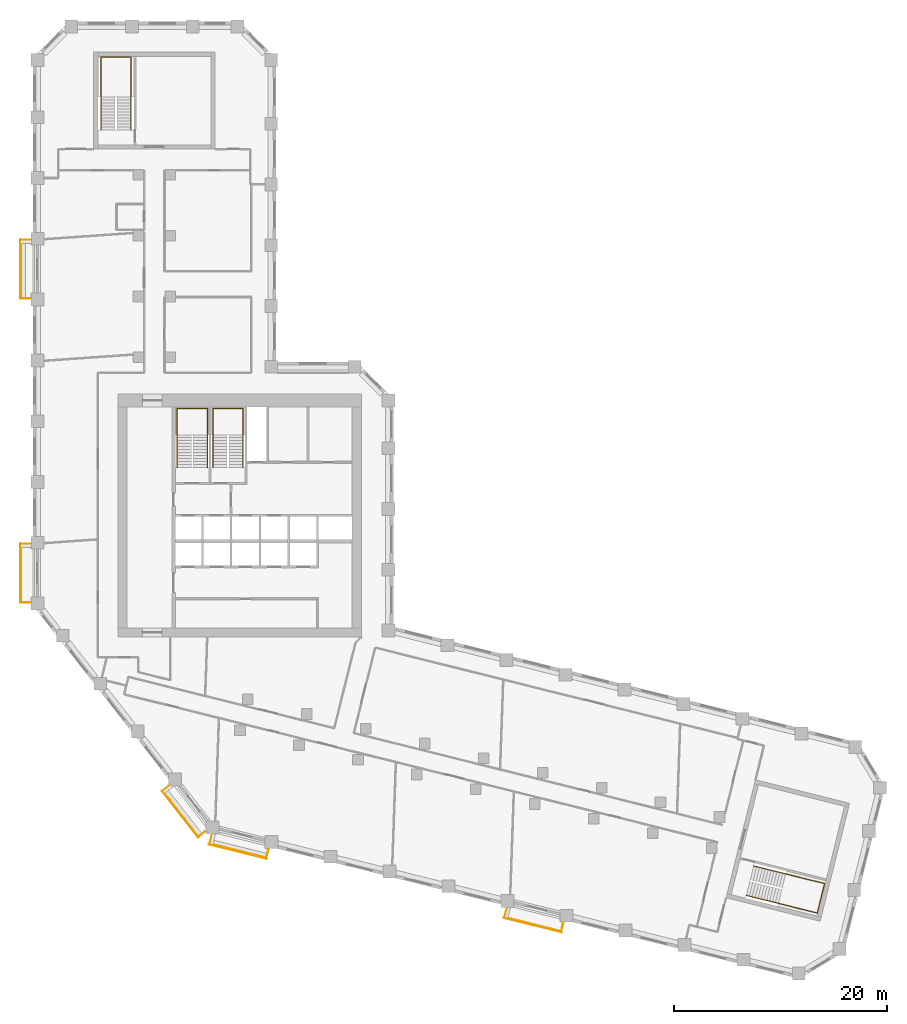
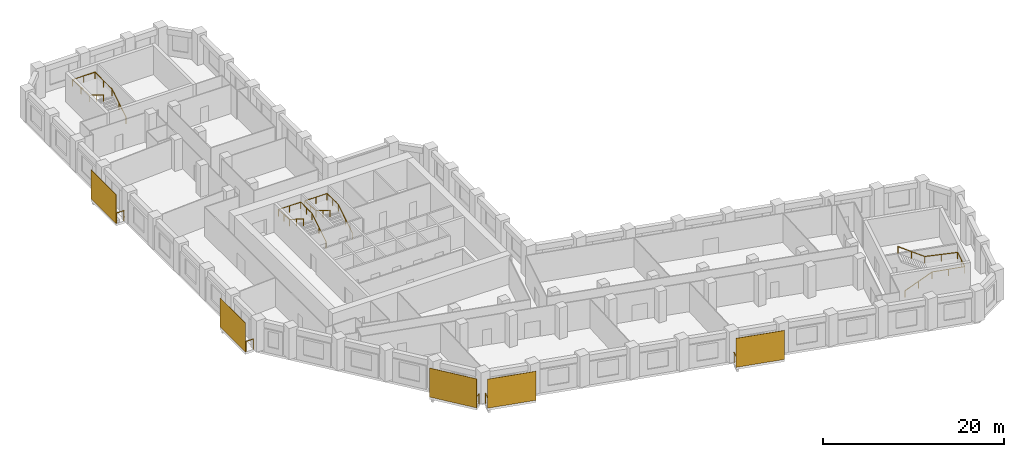
# One storey, part 10 of 10: 9 railings, 5 shading devices.
"""IFC4 building model written with IfcOpenShell, lengths in metres."""

from ifc_helpers import new_model, si_unit, direction, frame, origin, origin_2d, place, context, subcontext, project, spatial, rectangle, circle, extrude, material, layer, layer_set, type_object, element, save


model = new_model("IFC4")

# Units and contexts
model_context = context("Model", 3, precision=1e-05, world=origin(), true_north=direction((0.0, 1.0)))
body_context = subcontext(model_context, "Body", "Model", "MODEL_VIEW")
ifc_project = project(units=[si_unit("LENGTHUNIT", "METRE"), si_unit("AREAUNIT", "SQUARE_METRE"), si_unit("VOLUMEUNIT", "CUBIC_METRE"), si_unit("PLANEANGLEUNIT", "RADIAN"), si_unit("MASSUNIT", "GRAM", prefix="KILO")], contexts=[model_context])

# Site, building, storey
site_placement = place(None, origin())
site = spatial("IfcSite", under=ifc_project, at=site_placement, CompositionType="ELEMENT")
building_placement = place(site_placement, origin())
building = spatial("IfcBuilding", under=site, at=building_placement, Name="Meshkara Civic Tower", CompositionType="ELEMENT")
storey_placement = place(building_placement, frame((0.0, 0.0, 165.60009765625)))
storey = spatial("IfcBuildingStorey", under=building, at=storey_placement, Name="L37", CompositionType="ELEMENT", Elevation=165.60009765625)

# Railings
ifc_material_1 = material(Name="Steel S355", Category="steel")
railing_type_1 = type_object("IfcRailingType", Name="BALUSTRADE GUARD 1400", PredefinedType="BALUSTRADE", material=ifc_material_1)
for number, where, name in (
    (1, (-0.14990234375, 51.3349609375, 0.0), "Balcony guard"),
    (2, (-0.14990234375, 22.8349609375, 0.0), "Balcony guard"),
):
    element("IfcRailing", number, at=place(storey_placement, frame(where)), inside=storey, type_object=railing_type_1, Name=name, PredefinedType="BALUSTRADE", context=body_context, shape_type="SweptSolid", body=[
        extrude(circle(Radius=0.02392578125, at=origin_2d()), frame((0.0, 0.0, 1.3759765625), z_axis=(-1.0, 0.0, 0.0), x_axis=(0.0, -1.0, 0.0)), (0.0, 0.0, 1.0), 0.960205078125),
        extrude(circle(Radius=0.02392578125, at=origin_2d()), frame((-0.960205078125, 0.0, 1.3759765625), z_axis=(0.0, -1.0, 0.0), x_axis=(1.0, 0.0, 0.0)), (0.0, 0.0, 1.0), 5.4599609375),
        extrude(circle(Radius=0.02392578125, at=origin_2d()), frame((-0.960205078125, -5.4599609375, 1.3759765625), z_axis=(1.0, 0.0, 0.0), x_axis=(0.0, 1.0, 0.0)), (0.0, 0.0, 1.0), 0.960205078125),
        extrude(circle(Radius=0.02099609375, at=origin_2d()), origin(), (0.0, 0.0, 1.0), 1.351806640625),
        extrude(circle(Radius=0.02099609375, at=origin_2d()), frame((-0.960205078125, 0.0, 0.0)), (0.0, 0.0, 1.0), 1.351806640625),
        extrude(circle(Radius=0.02099609375, at=origin_2d()), frame((-0.960205078125, -1.092041015625, 0.0)), (0.0, 0.0, 1.0), 1.351806640625),
        extrude(circle(Radius=0.02099609375, at=origin_2d()), frame((-0.960205078125, -2.18408203125, 0.0)), (0.0, 0.0, 1.0), 1.351806640625),
        extrude(circle(Radius=0.02099609375, at=origin_2d()), frame((-0.960205078125, -3.27587890625, 0.0)), (0.0, 0.0, 1.0), 1.351806640625),
        extrude(circle(Radius=0.02099609375, at=origin_2d()), frame((-0.960205078125, -4.367919921875, 0.0)), (0.0, 0.0, 1.0), 1.351806640625),
        extrude(circle(Radius=0.02099609375, at=origin_2d()), frame((-0.960205078125, -5.4599609375, 0.0)), (0.0, 0.0, 1.0), 1.351806640625),
        extrude(circle(Radius=0.02099609375, at=origin_2d()), frame((0.0, -5.4599609375, 0.0)), (0.0, 0.0, 1.0), 1.351806640625),
    ])
railing_1_placement = place(storey_placement, frame((12.751953125, 0.14111328125, 0.0)))
element("IfcRailing", 3, at=railing_1_placement, inside=storey, type_object=railing_type_1, Name="Balcony guard", PredefinedType="BALUSTRADE", context=body_context, shape_type="SweptSolid", body=[
    extrude(circle(Radius=0.02392578125, at=origin_2d()), frame((0.0, 0.0, 1.3759765625), z_axis=(-0.788014065721, -0.615657235989, 0.0), x_axis=(0.615657235989, -0.788014065721, 0.0)), (0.0, 0.0, 1.0), 0.71826171875),
    extrude(circle(Radius=0.02392578125, at=origin_2d()), frame((-0.56591796875, -0.442138671875, 1.3759765625), z_axis=(0.615684818606, -0.787992515281, 0.0), x_axis=(0.787992515281, 0.615684818606, 0.0)), (0.0, 0.0, 1.0), 5.460693359375),
    extrude(circle(Radius=0.02392578125, at=origin_2d()), frame((2.796142578125, -4.7451171875, 1.3759765625), z_axis=(0.788178999613, 0.615446069586, 0.0), x_axis=(-0.615446069586, 0.788178999613, 0.0)), (0.0, 0.0, 1.0), 0.718017578125),
    extrude(circle(Radius=0.02099609375, at=origin_2d()), origin(), (0.0, 0.0, 1.0), 1.351806640625),
    extrude(circle(Radius=0.02099609375, at=origin_2d()), frame((-0.56591796875, -0.442138671875, 0.0)), (0.0, 0.0, 1.0), 1.351806640625),
    extrude(circle(Radius=0.02099609375, at=origin_2d()), frame((0.1064453125, -1.302734375, 0.0)), (0.0, 0.0, 1.0), 1.351806640625),
    extrude(circle(Radius=0.02099609375, at=origin_2d()), frame((0.77880859375, -2.163330078125, 0.0)), (0.0, 0.0, 1.0), 1.351806640625),
    extrude(circle(Radius=0.02099609375, at=origin_2d()), frame((1.451416015625, -3.02392578125, 0.0)), (0.0, 0.0, 1.0), 1.351806640625),
    extrude(circle(Radius=0.02099609375, at=origin_2d()), frame((2.123779296875, -3.884521484375, 0.0)), (0.0, 0.0, 1.0), 1.351806640625),
    extrude(circle(Radius=0.02099609375, at=origin_2d()), frame((2.796142578125, -4.7451171875, 0.0)), (0.0, 0.0, 1.0), 1.351806640625),
    extrude(circle(Radius=0.02099609375, at=origin_2d()), frame((3.362060546875, -4.30322265625, 0.0)), (0.0, 0.0, 1.0), 1.351806640625),
])
railing_2_placement = place(storey_placement, frame((16.7919921875, -4.472900390625, 0.0)))
element("IfcRailing", 4, at=railing_2_placement, inside=storey, type_object=railing_type_1, Name="Balcony guard", PredefinedType="BALUSTRADE", context=body_context, shape_type="SweptSolid", body=[
    extrude(circle(Radius=0.02392578125, at=origin_2d()), frame((0.0, 0.0, 1.3759765625), z_axis=(-0.242397690902, -0.970176973261, 0.0), x_axis=(0.970176973261, -0.242397690902, 0.0)), (0.0, 0.0, 1.0), 0.8330078125),
    extrude(circle(Radius=0.02392578125, at=origin_2d()), frame((-0.201904296875, -0.80810546875, 1.3759765625), z_axis=(0.9703315887, -0.241778013829, 0.0), x_axis=(0.241778013829, 0.9703315887, 0.0)), (0.0, 0.0, 1.0), 5.459716796875),
    extrude(circle(Radius=0.02392578125, at=origin_2d()), frame((5.095947265625, -2.128173828125, 1.3759765625), z_axis=(0.242673544463, 0.970108009872, 0.0), x_axis=(-0.970108009872, 0.242673544463, 0.0)), (0.0, 0.0, 1.0), 0.8330078125),
    extrude(circle(Radius=0.02099609375, at=origin_2d()), origin(), (0.0, 0.0, 1.0), 1.351806640625),
    extrude(circle(Radius=0.02099609375, at=origin_2d()), frame((-0.201904296875, -0.80810546875, 0.0)), (0.0, 0.0, 1.0), 1.351806640625),
    extrude(circle(Radius=0.02099609375, at=origin_2d()), frame((0.857666015625, -1.072021484375, 0.0)), (0.0, 0.0, 1.0), 1.351806640625),
    extrude(circle(Radius=0.02099609375, at=origin_2d()), frame((1.917236328125, -1.336181640625, 0.0)), (0.0, 0.0, 1.0), 1.351806640625),
    extrude(circle(Radius=0.02099609375, at=origin_2d()), frame((2.976806640625, -1.60009765625, 0.0)), (0.0, 0.0, 1.0), 1.351806640625),
    extrude(circle(Radius=0.02099609375, at=origin_2d()), frame((4.036376953125, -1.8642578125, 0.0)), (0.0, 0.0, 1.0), 1.351806640625),
    extrude(circle(Radius=0.02099609375, at=origin_2d()), frame((5.095947265625, -2.128173828125, 0.0)), (0.0, 0.0, 1.0), 1.351806640625),
    extrude(circle(Radius=0.02099609375, at=origin_2d()), frame((5.298095703125, -1.320068359375, 0.0)), (0.0, 0.0, 1.0), 1.351806640625),
])
railing_3_placement = place(storey_placement, frame((44.445068359375, -11.366943359375, 0.0)))
element("IfcRailing", 5, at=railing_3_placement, inside=storey, type_object=railing_type_1, Name="Balcony guard", PredefinedType="BALUSTRADE", context=body_context, shape_type="SweptSolid", body=[
    extrude(circle(Radius=0.02392578125, at=origin_2d()), frame((0.0, 0.0, 1.3759765625), z_axis=(-0.241569777604, -0.970383451296, 0.0), x_axis=(0.970383451296, -0.241569777604, 0.0)), (0.0, 0.0, 1.0), 0.832763671875),
    extrude(circle(Radius=0.02392578125, at=origin_2d()), frame((-0.201171875, -0.80810546875, 1.3759765625), z_axis=(0.970281759871, -0.241977904902, 0.0), x_axis=(0.241977904902, 0.970281759871, 0.0)), (0.0, 0.0, 1.0), 5.45947265625),
    extrude(circle(Radius=0.02392578125, at=origin_2d()), frame((5.095947265625, -2.129150390625, 1.3759765625), z_axis=(0.242397690902, 0.970176973261, 0.0), x_axis=(-0.970176973261, 0.242397690902, 0.0)), (0.0, 0.0, 1.0), 0.8330078125),
    extrude(circle(Radius=0.02099609375, at=origin_2d()), origin(), (0.0, 0.0, 1.0), 1.351806640625),
    extrude(circle(Radius=0.02099609375, at=origin_2d()), frame((-0.201171875, -0.80810546875, 0.0)), (0.0, 0.0, 1.0), 1.351806640625),
    extrude(circle(Radius=0.02099609375, at=origin_2d()), frame((0.858154296875, -1.072265625, 0.0)), (0.0, 0.0, 1.0), 1.351806640625),
    extrude(circle(Radius=0.02099609375, at=origin_2d()), frame((1.917724609375, -1.33642578125, 0.0)), (0.0, 0.0, 1.0), 1.351806640625),
    extrude(circle(Radius=0.02099609375, at=origin_2d()), frame((2.97705078125, -1.600830078125, 0.0)), (0.0, 0.0, 1.0), 1.351806640625),
    extrude(circle(Radius=0.02099609375, at=origin_2d()), frame((4.03662109375, -1.864990234375, 0.0)), (0.0, 0.0, 1.0), 1.351806640625),
    extrude(circle(Radius=0.02099609375, at=origin_2d()), frame((5.095947265625, -2.129150390625, 0.0)), (0.0, 0.0, 1.0), 1.351806640625),
    extrude(circle(Radius=0.02099609375, at=origin_2d()), frame((5.2978515625, -1.321044921875, 0.0)), (0.0, 0.0, 1.0), 1.351806640625),
])

# Shading devices
ifc_material_2 = material(Name="Perforated bronze anodised aluminium sheet", Category="aluminium")
ifc_layer = layer(ifc_material_2, 0.0400390625)
ifc_layer_set = layer_set([ifc_layer], Name="PERFORATED BRONZE SCREEN")
shading_device_type = type_object("IfcShadingDeviceType", Name="PERFORATED BRONZE SCREEN", PredefinedType="USERDEFINED", material=ifc_layer_set)
for number, where, z_axis, x_axis, name in (
    (6, (-1.179931640625, 48.60498046875, 0.0), (0.0, 0.0, 1.0), (0.0, -1.0, 0.0), "Balcony screen"),
    (7, (-1.179931640625, 20.10498046875, 0.0), (0.0, 0.0, 1.0), (0.0, -1.0, 0.0), "Balcony screen"),
    (8, (13.81201171875, -2.4951171875, 0.0), (0.0, 0.0, 1.0), (0.615661475326, -0.788010753607, 0.0), "Balcony screen"),
    (9, (19.221923828125, -6.009033203125, 0.0), (0.0, 0.0, 1.0), (0.970299948462, -0.241904960708, 0.0), "Balcony screen"),
):
    element("IfcShadingDevice", number, at=place(storey_placement, frame(where, z_axis=z_axis, x_axis=x_axis)), inside=storey, type_object=shading_device_type, Name=name, ObjectType="SCREEN", PredefinedType="USERDEFINED", context=body_context, shape_type="SweptSolid", body=[
        extrude(rectangle(XDim=5.580078125, YDim=0.0400390625, at=origin_2d()), origin(), (0.0, 0.0, 1.0), 3.89990234375),
    ])
shading_device_placement = place(storey_placement, frame((46.8759765625, -12.903076171875, 0.0), z_axis=(0.0, 0.0, 1.0), x_axis=(0.970299948462, -0.241904960708, 0.0)))
element("IfcShadingDevice", 10, at=shading_device_placement, inside=storey, type_object=shading_device_type, Name="Balcony screen", ObjectType="SCREEN", PredefinedType="USERDEFINED", context=body_context, shape_type="SweptSolid", body=[
    extrude(rectangle(XDim=5.5791015625, YDim=0.0400390625, at=origin_2d()), origin(), (0.0, 0.0, 1.0), 3.89990234375),
])

# Railings
ifc_material_3 = material(Name="Steel handrail", Category="steel")
railing_type_2 = type_object("IfcRailingType", Name="Stair handrail 900", PredefinedType="HANDRAIL", material=ifc_material_3)
railing_4_placement = place(storey_placement, frame((16.375, 30.0, 0.1748046875)))
element("IfcRailing", 11, at=railing_4_placement, inside=storey, type_object=railing_type_2, Name="L37 ST1 stair handrail 1", PredefinedType="HANDRAIL", context=body_context, shape_type="SweptSolid", body=[
    extrude(circle(Radius=0.02392578125, at=origin_2d()), frame((0.0, 0.0, 0.8759765625), z_axis=(0.0, 0.847998304005, 0.529998940003), x_axis=(-1.0, 0.0, 0.0)), (0.0, 0.0, 1.0), 3.632080078125),
    extrude(circle(Radius=0.02392578125, at=origin_2d()), frame((0.0, 3.080078125, 2.80078125), z_axis=(0.0, 1.0, 0.0), x_axis=(-1.0, 0.0, 0.0)), (0.0, 0.0, 1.0), 2.469970703125),
    extrude(circle(Radius=0.02392578125, at=origin_2d()), frame((0.0, 5.550048828125, 2.80078125), z_axis=(-1.0, 0.0, 0.0), x_axis=(0.0, -1.0, 0.0)), (0.0, 0.0, 1.0), 2.85009765625),
    extrude(circle(Radius=0.02392578125, at=origin_2d()), frame((-2.85009765625, 5.550048828125, 2.80078125), z_axis=(0.0, -0.997498084828, 0.070693498747), x_axis=(1.0, 0.0, 0.0)), (0.0, 0.0, 1.0), 2.47607421875),
    extrude(circle(Radius=0.02392578125, at=origin_2d()), frame((-2.85009765625, 3.080078125, 2.97607421875), z_axis=(0.0, -0.847998304005, 0.529998940003), x_axis=(1.0, 0.0, 0.0)), (0.0, 0.0, 1.0), 3.632080078125),
    extrude(circle(Radius=0.02099609375, at=origin_2d()), origin(), (0.0, 0.0, 1.0), 0.851806640625),
    extrude(circle(Radius=0.02099609375, at=origin_2d()), frame((0.0, 1.5400390625, 0.96240234375)), (0.0, 0.0, 1.0), 0.851806640625),
    extrude(circle(Radius=0.02099609375, at=origin_2d()), frame((0.0, 3.080078125, 1.925048828125)), (0.0, 0.0, 1.0), 0.851806640625),
    extrude(circle(Radius=0.02099609375, at=origin_2d()), frame((0.0, 4.31494140625, 1.925048828125)), (0.0, 0.0, 1.0), 0.851806640625),
    extrude(circle(Radius=0.02099609375, at=origin_2d()), frame((0.0, 5.550048828125, 1.925048828125)), (0.0, 0.0, 1.0), 0.851806640625),
    extrude(circle(Radius=0.02099609375, at=origin_2d()), frame((-1.425048828125, 5.550048828125, 1.925048828125)), (0.0, 0.0, 1.0), 0.851806640625),
    extrude(circle(Radius=0.02099609375, at=origin_2d()), frame((-2.85009765625, 5.550048828125, 1.925048828125)), (0.0, 0.0, 1.0), 0.851806640625),
    extrude(circle(Radius=0.02099609375, at=origin_2d()), frame((-2.85009765625, 4.31494140625, 2.0126953125)), (0.0, 0.0, 1.0), 0.851806640625),
    extrude(circle(Radius=0.02099609375, at=origin_2d()), frame((-2.85009765625, 3.080078125, 2.10009765625)), (0.0, 0.0, 1.0), 0.851806640625),
    extrude(circle(Radius=0.02099609375, at=origin_2d()), frame((-2.85009765625, 1.5400390625, 3.0625)), (0.0, 0.0, 1.0), 0.851806640625),
    extrude(circle(Radius=0.02099609375, at=origin_2d()), frame((-2.85009765625, 0.0, 4.025146484375)), (0.0, 0.0, 1.0), 0.851806640625),
])
railing_5_placement = place(storey_placement, frame((19.72509765625, 30.0, 0.1748046875)))
element("IfcRailing", 12, at=railing_5_placement, inside=storey, type_object=railing_type_2, Name="L37 ST2 stair handrail 1", PredefinedType="HANDRAIL", context=body_context, shape_type="SweptSolid", body=[
    extrude(circle(Radius=0.02392578125, at=origin_2d()), frame((0.0, 0.0, 0.8759765625), z_axis=(0.0, 0.847998304005, 0.529998940003), x_axis=(-1.0, 0.0, 0.0)), (0.0, 0.0, 1.0), 3.632080078125),
    extrude(circle(Radius=0.02392578125, at=origin_2d()), frame((0.0, 3.080078125, 2.80078125), z_axis=(0.0, 1.0, 0.0), x_axis=(-1.0, 0.0, 0.0)), (0.0, 0.0, 1.0), 2.469970703125),
    extrude(circle(Radius=0.02392578125, at=origin_2d()), frame((0.0, 5.550048828125, 2.80078125), z_axis=(-1.0, 0.0, 0.0), x_axis=(0.0, -1.0, 0.0)), (0.0, 0.0, 1.0), 2.85009765625),
    extrude(circle(Radius=0.02392578125, at=origin_2d()), frame((-2.85009765625, 5.550048828125, 2.80078125), z_axis=(0.0, -0.997498084828, 0.070693498747), x_axis=(1.0, 0.0, 0.0)), (0.0, 0.0, 1.0), 2.47607421875),
    extrude(circle(Radius=0.02392578125, at=origin_2d()), frame((-2.85009765625, 3.080078125, 2.97607421875), z_axis=(0.0, -0.847998304005, 0.529998940003), x_axis=(1.0, 0.0, 0.0)), (0.0, 0.0, 1.0), 3.632080078125),
    extrude(circle(Radius=0.02099609375, at=origin_2d()), origin(), (0.0, 0.0, 1.0), 0.851806640625),
    extrude(circle(Radius=0.02099609375, at=origin_2d()), frame((0.0, 1.5400390625, 0.96240234375)), (0.0, 0.0, 1.0), 0.851806640625),
    extrude(circle(Radius=0.02099609375, at=origin_2d()), frame((0.0, 3.080078125, 1.925048828125)), (0.0, 0.0, 1.0), 0.851806640625),
    extrude(circle(Radius=0.02099609375, at=origin_2d()), frame((0.0, 4.31494140625, 1.925048828125)), (0.0, 0.0, 1.0), 0.851806640625),
    extrude(circle(Radius=0.02099609375, at=origin_2d()), frame((0.0, 5.550048828125, 1.925048828125)), (0.0, 0.0, 1.0), 0.851806640625),
    extrude(circle(Radius=0.02099609375, at=origin_2d()), frame((-1.425048828125, 5.550048828125, 1.925048828125)), (0.0, 0.0, 1.0), 0.851806640625),
    extrude(circle(Radius=0.02099609375, at=origin_2d()), frame((-2.85009765625, 5.550048828125, 1.925048828125)), (0.0, 0.0, 1.0), 0.851806640625),
    extrude(circle(Radius=0.02099609375, at=origin_2d()), frame((-2.85009765625, 4.31494140625, 2.0126953125)), (0.0, 0.0, 1.0), 0.851806640625),
    extrude(circle(Radius=0.02099609375, at=origin_2d()), frame((-2.85009765625, 3.080078125, 2.10009765625)), (0.0, 0.0, 1.0), 0.851806640625),
    extrude(circle(Radius=0.02099609375, at=origin_2d()), frame((-2.85009765625, 1.5400390625, 3.0625)), (0.0, 0.0, 1.0), 0.851806640625),
    extrude(circle(Radius=0.02099609375, at=origin_2d()), frame((-2.85009765625, 0.0, 4.025146484375)), (0.0, 0.0, 1.0), 0.851806640625),
])
railing_6_placement = place(storey_placement, frame((9.22509765625, 61.669921875, 0.1748046875)))
element("IfcRailing", 13, at=railing_6_placement, inside=storey, type_object=railing_type_2, Name="L37 ESA3 stair handrail 1", PredefinedType="HANDRAIL", context=body_context, shape_type="SweptSolid", body=[
    extrude(circle(Radius=0.02392578125, at=origin_2d()), frame((0.0, 0.0, 0.8759765625), z_axis=(0.0, 0.847998304005, 0.529998940003), x_axis=(-1.0, 0.0, 0.0)), (0.0, 0.0, 1.0), 3.632080078125),
    extrude(circle(Radius=0.02392578125, at=origin_2d()), frame((0.0, 3.080078125, 2.80078125), z_axis=(0.0, 1.0, 0.0), x_axis=(-1.0, 0.0, 0.0)), (0.0, 0.0, 1.0), 3.77001953125),
    extrude(circle(Radius=0.02392578125, at=origin_2d()), frame((0.0, 6.85009765625, 2.80078125), z_axis=(-1.0, 0.0, 0.0), x_axis=(0.0, -1.0, 0.0)), (0.0, 0.0, 1.0), 2.85009765625),
    extrude(circle(Radius=0.02392578125, at=origin_2d()), frame((-2.85009765625, 6.85009765625, 2.80078125), z_axis=(0.0, -0.9989237834, 0.046381838667), x_axis=(1.0, 0.0, 0.0)), (0.0, 0.0, 1.0), 3.774169921875),
    extrude(circle(Radius=0.02392578125, at=origin_2d()), frame((-2.85009765625, 3.080078125, 2.97607421875), z_axis=(0.0, -0.847998304005, 0.529998940003), x_axis=(1.0, 0.0, 0.0)), (0.0, 0.0, 1.0), 3.632080078125),
    extrude(circle(Radius=0.02099609375, at=origin_2d()), origin(), (0.0, 0.0, 1.0), 0.851806640625),
    extrude(circle(Radius=0.02099609375, at=origin_2d()), frame((0.0, 1.5400390625, 0.96240234375)), (0.0, 0.0, 1.0), 0.851806640625),
    extrude(circle(Radius=0.02099609375, at=origin_2d()), frame((0.0, 3.080078125, 1.925048828125)), (0.0, 0.0, 1.0), 0.851806640625),
    extrude(circle(Radius=0.02099609375, at=origin_2d()), frame((0.0, 4.965087890625, 1.925048828125)), (0.0, 0.0, 1.0), 0.851806640625),
    extrude(circle(Radius=0.02099609375, at=origin_2d()), frame((0.0, 6.85009765625, 1.925048828125)), (0.0, 0.0, 1.0), 0.851806640625),
    extrude(circle(Radius=0.02099609375, at=origin_2d()), frame((-1.425048828125, 6.85009765625, 1.925048828125)), (0.0, 0.0, 1.0), 0.851806640625),
    extrude(circle(Radius=0.02099609375, at=origin_2d()), frame((-2.85009765625, 6.85009765625, 1.925048828125)), (0.0, 0.0, 1.0), 0.851806640625),
    extrude(circle(Radius=0.02099609375, at=origin_2d()), frame((-2.85009765625, 4.965087890625, 2.0126953125)), (0.0, 0.0, 1.0), 0.851806640625),
    extrude(circle(Radius=0.02099609375, at=origin_2d()), frame((-2.85009765625, 3.080078125, 2.10009765625)), (0.0, 0.0, 1.0), 0.851806640625),
    extrude(circle(Radius=0.02099609375, at=origin_2d()), frame((-2.85009765625, 1.5400390625, 3.0625)), (0.0, 0.0, 1.0), 0.851806640625),
    extrude(circle(Radius=0.02099609375, at=origin_2d()), frame((-2.85009765625, 0.0, 4.025146484375)), (0.0, 0.0, 1.0), 0.851806640625),
])
railing_7_placement = place(storey_placement, frame((66.910888671875, -10.1123046875, 0.1748046875)))
element("IfcRailing", 14, at=railing_7_placement, inside=storey, type_object=railing_type_2, Name="L37 ESB3 stair handrail 1", PredefinedType="HANDRAIL", context=body_context, shape_type="SweptSolid", body=[
    extrude(circle(Radius=0.02392578125, at=origin_2d()), frame((0.0, 0.0, 0.8759765625), z_axis=(0.822816010835, -0.205082235851, 0.530014234575), x_axis=(0.241845469214, 0.970314778317, 0.0)), (0.0, 0.0, 1.0), 3.632080078125),
    extrude(circle(Radius=0.02392578125, at=origin_2d()), frame((2.988525390625, -0.744873046875, 2.80078125), z_axis=(0.970325068916, -0.241804178279, 0.0), x_axis=(0.241804178279, 0.970325068916, 0.0)), (0.0, 0.0, 1.0), 3.77001953125),
    extrude(circle(Radius=0.02392578125, at=origin_2d()), frame((6.646728515625, -1.656494140625, 2.80078125), z_axis=(0.24183009087, 0.970318611153, 0.0), x_axis=(-0.970318611153, 0.24183009087, 0.0)), (0.0, 0.0, 1.0), 2.849853515625),
    extrude(circle(Radius=0.02392578125, at=origin_2d()), frame((7.3359375, 1.10888671875, 2.80078125), z_axis=(-0.969280822407, 0.241543952941, 0.046381096481), x_axis=(-0.241804178279, -0.970325068916, 0.0)), (0.0, 0.0, 1.0), 3.774169921875),
    extrude(circle(Radius=0.02392578125, at=origin_2d()), frame((3.677734375, 2.0205078125, 2.97607421875), z_axis=(-0.822816010835, 0.205082235851, 0.530014234575), x_axis=(-0.241845469214, -0.970314778317, 0.0)), (0.0, 0.0, 1.0), 3.632080078125),
    extrude(circle(Radius=0.02099609375, at=origin_2d()), origin(), (0.0, 0.0, 1.0), 0.851806640625),
    extrude(circle(Radius=0.02099609375, at=origin_2d()), frame((1.494140625, -0.37255859375, 0.96240234375)), (0.0, 0.0, 1.0), 0.851806640625),
    extrude(circle(Radius=0.02099609375, at=origin_2d()), frame((2.988525390625, -0.744873046875, 1.925048828125)), (0.0, 0.0, 1.0), 0.851806640625),
    extrude(circle(Radius=0.02099609375, at=origin_2d()), frame((4.817626953125, -1.20068359375, 1.925048828125)), (0.0, 0.0, 1.0), 0.851806640625),
    extrude(circle(Radius=0.02099609375, at=origin_2d()), frame((6.646728515625, -1.656494140625, 1.925048828125)), (0.0, 0.0, 1.0), 0.851806640625),
    extrude(circle(Radius=0.02099609375, at=origin_2d()), frame((6.9912109375, -0.27392578125, 1.925048828125)), (0.0, 0.0, 1.0), 0.851806640625),
    extrude(circle(Radius=0.02099609375, at=origin_2d()), frame((7.3359375, 1.10888671875, 1.925048828125)), (0.0, 0.0, 1.0), 0.851806640625),
    extrude(circle(Radius=0.02099609375, at=origin_2d()), frame((5.5068359375, 1.564697265625, 2.0126953125)), (0.0, 0.0, 1.0), 0.851806640625),
    extrude(circle(Radius=0.02099609375, at=origin_2d()), frame((3.677734375, 2.0205078125, 2.10009765625)), (0.0, 0.0, 1.0), 0.851806640625),
    extrude(circle(Radius=0.02099609375, at=origin_2d()), frame((2.18359375, 2.39306640625, 3.0625)), (0.0, 0.0, 1.0), 0.851806640625),
    extrude(circle(Radius=0.02099609375, at=origin_2d()), frame((0.689208984375, 2.765380859375, 4.025146484375)), (0.0, 0.0, 1.0), 0.851806640625),
])

save(model, "model.ifc")
